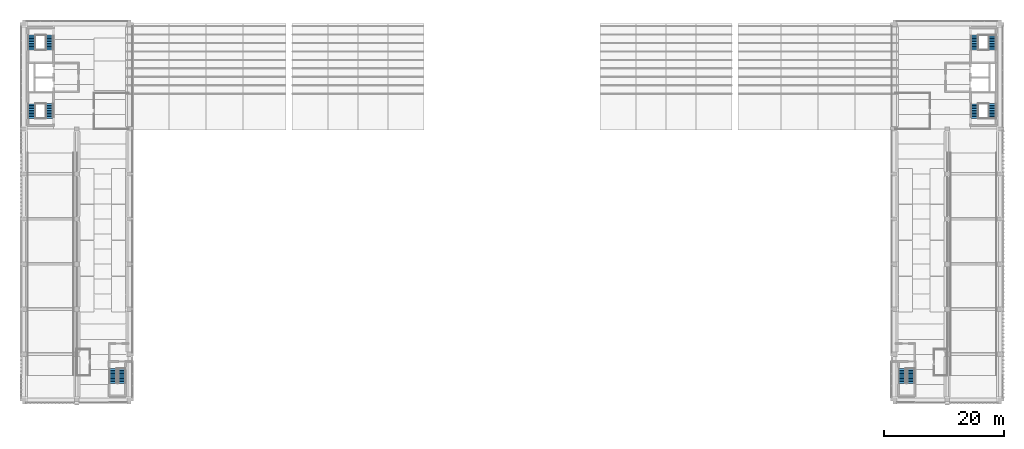
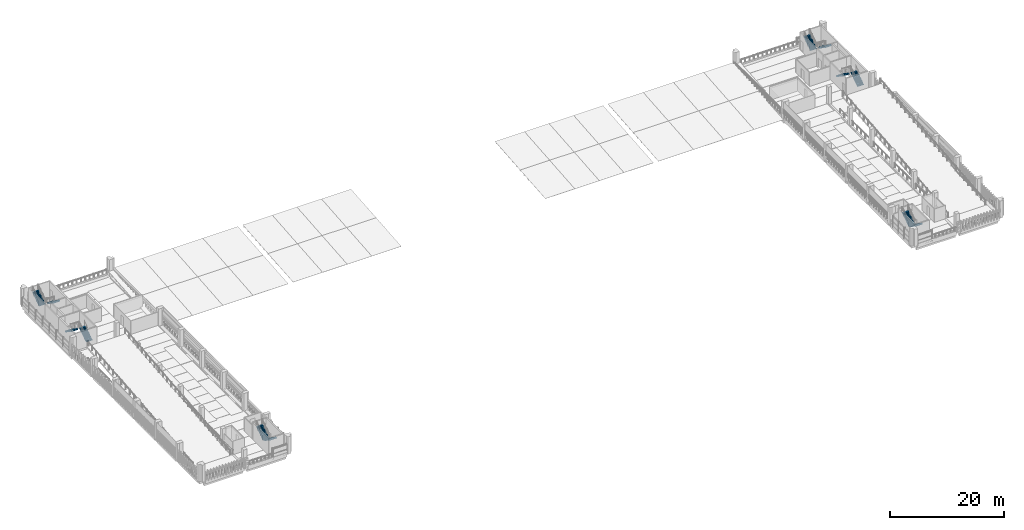
# One storey, part 14 of 24: 12 stair flights, 6 elements without a shape of their own.
"""IFC4 building model written with IfcOpenShell, lengths in metres."""

from ifc_helpers import new_model, si_unit, direction, frame, origin, place, context, subcontext, project, spatial, polyline, outline, extrude, material, type_object, element, aggregate, save


model = new_model("IFC4")

# Units and contexts
model_context = context("Model", 3, precision=1e-05, world=origin(), true_north=direction((0.0, 1.0)))
body_context = subcontext(model_context, "Body", "Model", "MODEL_VIEW")
ifc_project = project(units=[si_unit("LENGTHUNIT", "METRE"), si_unit("AREAUNIT", "SQUARE_METRE"), si_unit("VOLUMEUNIT", "CUBIC_METRE"), si_unit("PLANEANGLEUNIT", "RADIAN"), si_unit("MASSUNIT", "GRAM", prefix="KILO")], contexts=[model_context])

# Site, building, storey
site_placement = place(None, origin())
site = spatial("IfcSite", under=ifc_project, at=site_placement, CompositionType="ELEMENT")
building_placement = place(site_placement, origin())
building = spatial("IfcBuilding", under=site, at=building_placement, Name="Cour d'Honneur Mobility Palace", CompositionType="ELEMENT")
storey_placement = place(building_placement, frame((0.0, 0.0, 26.699951171875)))
storey = spatial("IfcBuildingStorey", under=building, at=storey_placement, Name="L07", CompositionType="ELEMENT", Elevation=26.699951171875)

# Stair, stair flights
ifc_material_1 = material(Name="Concrete C50", Category="concrete")
stair_type = type_object("IfcStairType", Name="Stair 20 risers", PredefinedType="HALF_TURN_STAIR", material=ifc_material_1)
stair_1_placement = place(storey_placement, origin())
stair_1 = element("IfcStair", 1, at=stair_1_placement, inside=storey, type_object=stair_type, Name="Stair ST-CW1", PredefinedType="HALF_TURN_STAIR")
ifc_material_2 = material(Name="Concrete C50", Category="concrete")
stair_flight_type = type_object("IfcStairFlightType", Name="Stair flight 1250", PredefinedType="STRAIGHT", material=ifc_material_2)
stair_flight_1_placement = place(storey_placement, frame((4.175048828125, 46.77490234375, 0.0), z_axis=(0.0, 0.0, 1.0), x_axis=(0.0, 1.0, 0.0)))
stair_flight_1 = element("IfcStairFlight", 2, at=stair_flight_1_placement, type_object=stair_flight_type, Name="ST-CW1 flight 1", NumberOfRisers=10, NumberOfTreads=9, PredefinedType="STRAIGHT", RiserHeight=0.185, TreadLength=0.27, context=body_context, shape_type="SweptSolid", body=[
    extrude(outline(polyline([(0.0, 0.0), (0.0, 0.18505859375), (0.27001953125, 0.18505859375), (0.27001953125, 0.3701171875), (0.5400390625, 0.3701171875), (0.5400390625, 0.554931640625), (0.81005859375, 0.554931640625), (0.81005859375, 0.739990234375), (1.080078125, 0.739990234375), (1.080078125, 0.925048828125), (1.35009765625, 0.925048828125), (1.35009765625, 1.110107421875), (1.6201171875, 1.110107421875), (1.6201171875, 1.294921875), (1.889892578125, 1.294921875), (1.889892578125, 1.47998046875), (2.159912109375, 1.47998046875), (2.159912109375, 1.6650390625), (2.429931640625, 1.6650390625), (2.47998046875, 1.6650390625), (2.47998046875, 1.4833984375), (0.26513671875, 0.0), (0.0, 0.0)])), frame((0.0, 0.625, 0.0), z_axis=(0.0, -1.0, 0.0), x_axis=(1.0, 0.0, 0.0)), (0.0, 0.0, 1.0), 1.25),
])
stair_flight_2_placement = place(storey_placement, frame((1.199951171875, 49.205078125, 1.85009765625), z_axis=(0.0, 0.0, 1.0), x_axis=(0.0, -1.0, 0.0)))
stair_flight_2 = element("IfcStairFlight", 3, at=stair_flight_2_placement, type_object=stair_flight_type, Name="ST-CW1 flight 2", NumberOfRisers=10, NumberOfTreads=9, PredefinedType="STRAIGHT", RiserHeight=0.185, TreadLength=0.27, context=body_context, shape_type="SweptSolid", body=[
    extrude(outline(polyline([(0.0, 0.0), (0.0, 0.18505859375), (0.27001953125, 0.18505859375), (0.27001953125, 0.3701171875), (0.5400390625, 0.3701171875), (0.5400390625, 0.554931640625), (0.81005859375, 0.554931640625), (0.81005859375, 0.739990234375), (1.080078125, 0.739990234375), (1.080078125, 0.925048828125), (1.35009765625, 0.925048828125), (1.35009765625, 1.110107421875), (1.6201171875, 1.110107421875), (1.6201171875, 1.294921875), (1.889892578125, 1.294921875), (1.889892578125, 1.47998046875), (2.159912109375, 1.47998046875), (2.159912109375, 1.6650390625), (2.429931640625, 1.6650390625), (2.47998046875, 1.6650390625), (2.47998046875, 1.4833984375), (0.26513671875, 0.0), (0.0, 0.0)])), frame((0.0, 0.625, 0.0), z_axis=(0.0, -1.0, 0.0), x_axis=(1.0, 0.0, 0.0)), (0.0, 0.0, 1.0), 1.25),
])
aggregate(stair_1, [stair_flight_1, stair_flight_2])

stair_2_placement = place(storey_placement, origin())
stair_2 = element("IfcStair", 4, at=stair_2_placement, inside=storey, type_object=stair_type, Name="Stair ST-CW2", PredefinedType="HALF_TURN_STAIR")
stair_flight_3_placement = place(storey_placement, frame((4.175048828125, 60.625, 0.0), z_axis=(0.0, 0.0, 1.0), x_axis=(0.0, -1.0, 0.0)))
stair_flight_3 = element("IfcStairFlight", 5, at=stair_flight_3_placement, type_object=stair_flight_type, Name="ST-CW2 flight 1", NumberOfRisers=10, NumberOfTreads=9, PredefinedType="STRAIGHT", RiserHeight=0.185, TreadLength=0.27, context=body_context, shape_type="SweptSolid", body=[
    extrude(outline(polyline([(0.0, 0.0), (0.0, 0.18505859375), (0.27001953125, 0.18505859375), (0.27001953125, 0.3701171875), (0.5400390625, 0.3701171875), (0.5400390625, 0.554931640625), (0.81005859375, 0.554931640625), (0.81005859375, 0.739990234375), (1.080078125, 0.739990234375), (1.080078125, 0.925048828125), (1.35009765625, 0.925048828125), (1.35009765625, 1.110107421875), (1.6201171875, 1.110107421875), (1.6201171875, 1.294921875), (1.889892578125, 1.294921875), (1.889892578125, 1.47998046875), (2.159912109375, 1.47998046875), (2.159912109375, 1.6650390625), (2.429931640625, 1.6650390625), (2.47998046875, 1.6650390625), (2.47998046875, 1.4833984375), (0.26513671875, 0.0), (0.0, 0.0)])), frame((0.0, 0.625, 0.0), z_axis=(0.0, -1.0, 0.0), x_axis=(1.0, 0.0, 0.0)), (0.0, 0.0, 1.0), 1.25),
])
stair_flight_4_placement = place(storey_placement, frame((1.199951171875, 58.195068359375, 1.85009765625), z_axis=(0.0, 0.0, 1.0), x_axis=(0.0, 1.0, 0.0)))
stair_flight_4 = element("IfcStairFlight", 6, at=stair_flight_4_placement, type_object=stair_flight_type, Name="ST-CW2 flight 2", NumberOfRisers=10, NumberOfTreads=9, PredefinedType="STRAIGHT", RiserHeight=0.185, TreadLength=0.27, context=body_context, shape_type="SweptSolid", body=[
    extrude(outline(polyline([(0.0, 0.0), (0.0, 0.18505859375), (0.27001953125, 0.18505859375), (0.27001953125, 0.3701171875), (0.5400390625, 0.3701171875), (0.5400390625, 0.554931640625), (0.81005859375, 0.554931640625), (0.81005859375, 0.739990234375), (1.080078125, 0.739990234375), (1.080078125, 0.925048828125), (1.35009765625, 0.925048828125), (1.35009765625, 1.110107421875), (1.6201171875, 1.110107421875), (1.6201171875, 1.294921875), (1.889892578125, 1.294921875), (1.889892578125, 1.47998046875), (2.159912109375, 1.47998046875), (2.159912109375, 1.6650390625), (2.429931640625, 1.6650390625), (2.47998046875, 1.6650390625), (2.47998046875, 1.4833984375), (0.26513671875, 0.0), (0.0, 0.0)])), frame((0.0, 0.625, 0.0), z_axis=(0.0, -1.0, 0.0), x_axis=(1.0, 0.0, 0.0)), (0.0, 0.0, 1.0), 1.25),
])
aggregate(stair_2, [stair_flight_3, stair_flight_4])

stair_3_placement = place(storey_placement, origin())
stair_3 = element("IfcStair", 7, at=stair_3_placement, inside=storey, type_object=stair_type, Name="Stair ST-CE1", PredefinedType="HALF_TURN_STAIR")
stair_flight_5_placement = place(storey_placement, frame((161.10009765625, 46.77490234375, 0.0), z_axis=(0.0, 0.0, 1.0), x_axis=(0.0, 1.0, 0.0)))
stair_flight_5 = element("IfcStairFlight", 8, at=stair_flight_5_placement, type_object=stair_flight_type, Name="ST-CE1 flight 1", NumberOfRisers=10, NumberOfTreads=9, PredefinedType="STRAIGHT", RiserHeight=0.185, TreadLength=0.27, context=body_context, shape_type="SweptSolid", body=[
    extrude(outline(polyline([(0.0, 0.0), (0.0, 0.18505859375), (0.27001953125, 0.18505859375), (0.27001953125, 0.3701171875), (0.5400390625, 0.3701171875), (0.5400390625, 0.554931640625), (0.81005859375, 0.554931640625), (0.81005859375, 0.739990234375), (1.080078125, 0.739990234375), (1.080078125, 0.925048828125), (1.35009765625, 0.925048828125), (1.35009765625, 1.110107421875), (1.6201171875, 1.110107421875), (1.6201171875, 1.294921875), (1.889892578125, 1.294921875), (1.889892578125, 1.47998046875), (2.159912109375, 1.47998046875), (2.159912109375, 1.6650390625), (2.429931640625, 1.6650390625), (2.47998046875, 1.6650390625), (2.47998046875, 1.4833984375), (0.26513671875, 0.0), (0.0, 0.0)])), frame((0.0, 0.625, 0.0), z_axis=(0.0, -1.0, 0.0), x_axis=(1.0, 0.0, 0.0)), (0.0, 0.0, 1.0), 1.25),
])
stair_flight_6_placement = place(storey_placement, frame((158.125, 49.205078125, 1.85009765625), z_axis=(0.0, 0.0, 1.0), x_axis=(0.0, -1.0, 0.0)))
stair_flight_6 = element("IfcStairFlight", 9, at=stair_flight_6_placement, type_object=stair_flight_type, Name="ST-CE1 flight 2", NumberOfRisers=10, NumberOfTreads=9, PredefinedType="STRAIGHT", RiserHeight=0.185, TreadLength=0.27, context=body_context, shape_type="SweptSolid", body=[
    extrude(outline(polyline([(0.0, 0.0), (0.0, 0.18505859375), (0.27001953125, 0.18505859375), (0.27001953125, 0.3701171875), (0.5400390625, 0.3701171875), (0.5400390625, 0.554931640625), (0.81005859375, 0.554931640625), (0.81005859375, 0.739990234375), (1.080078125, 0.739990234375), (1.080078125, 0.925048828125), (1.35009765625, 0.925048828125), (1.35009765625, 1.110107421875), (1.6201171875, 1.110107421875), (1.6201171875, 1.294921875), (1.889892578125, 1.294921875), (1.889892578125, 1.47998046875), (2.159912109375, 1.47998046875), (2.159912109375, 1.6650390625), (2.429931640625, 1.6650390625), (2.47998046875, 1.6650390625), (2.47998046875, 1.4833984375), (0.26513671875, 0.0), (0.0, 0.0)])), frame((0.0, 0.625, 0.0), z_axis=(0.0, -1.0, 0.0), x_axis=(1.0, 0.0, 0.0)), (0.0, 0.0, 1.0), 1.25),
])
aggregate(stair_3, [stair_flight_5, stair_flight_6])

stair_4_placement = place(storey_placement, origin())
stair_4 = element("IfcStair", 10, at=stair_4_placement, inside=storey, type_object=stair_type, Name="Stair ST-CE2", PredefinedType="HALF_TURN_STAIR")
stair_flight_7_placement = place(storey_placement, frame((161.10009765625, 60.625, 0.0), z_axis=(0.0, 0.0, 1.0), x_axis=(0.0, -1.0, 0.0)))
stair_flight_7 = element("IfcStairFlight", 11, at=stair_flight_7_placement, type_object=stair_flight_type, Name="ST-CE2 flight 1", NumberOfRisers=10, NumberOfTreads=9, PredefinedType="STRAIGHT", RiserHeight=0.185, TreadLength=0.27, context=body_context, shape_type="SweptSolid", body=[
    extrude(outline(polyline([(0.0, 0.0), (0.0, 0.18505859375), (0.27001953125, 0.18505859375), (0.27001953125, 0.3701171875), (0.5400390625, 0.3701171875), (0.5400390625, 0.554931640625), (0.81005859375, 0.554931640625), (0.81005859375, 0.739990234375), (1.080078125, 0.739990234375), (1.080078125, 0.925048828125), (1.35009765625, 0.925048828125), (1.35009765625, 1.110107421875), (1.6201171875, 1.110107421875), (1.6201171875, 1.294921875), (1.889892578125, 1.294921875), (1.889892578125, 1.47998046875), (2.159912109375, 1.47998046875), (2.159912109375, 1.6650390625), (2.429931640625, 1.6650390625), (2.47998046875, 1.6650390625), (2.47998046875, 1.4833984375), (0.26513671875, 0.0), (0.0, 0.0)])), frame((0.0, 0.625, 0.0), z_axis=(0.0, -1.0, 0.0), x_axis=(1.0, 0.0, 0.0)), (0.0, 0.0, 1.0), 1.25),
])
stair_flight_8_placement = place(storey_placement, frame((158.125, 58.195068359375, 1.85009765625), z_axis=(0.0, 0.0, 1.0), x_axis=(0.0, 1.0, 0.0)))
stair_flight_8 = element("IfcStairFlight", 12, at=stair_flight_8_placement, type_object=stair_flight_type, Name="ST-CE2 flight 2", NumberOfRisers=10, NumberOfTreads=9, PredefinedType="STRAIGHT", RiserHeight=0.185, TreadLength=0.27, context=body_context, shape_type="SweptSolid", body=[
    extrude(outline(polyline([(0.0, 0.0), (0.0, 0.18505859375), (0.27001953125, 0.18505859375), (0.27001953125, 0.3701171875), (0.5400390625, 0.3701171875), (0.5400390625, 0.554931640625), (0.81005859375, 0.554931640625), (0.81005859375, 0.739990234375), (1.080078125, 0.739990234375), (1.080078125, 0.925048828125), (1.35009765625, 0.925048828125), (1.35009765625, 1.110107421875), (1.6201171875, 1.110107421875), (1.6201171875, 1.294921875), (1.889892578125, 1.294921875), (1.889892578125, 1.47998046875), (2.159912109375, 1.47998046875), (2.159912109375, 1.6650390625), (2.429931640625, 1.6650390625), (2.47998046875, 1.6650390625), (2.47998046875, 1.4833984375), (0.26513671875, 0.0), (0.0, 0.0)])), frame((0.0, 0.625, 0.0), z_axis=(0.0, -1.0, 0.0), x_axis=(1.0, 0.0, 0.0)), (0.0, 0.0, 1.0), 1.25),
])
aggregate(stair_4, [stair_flight_7, stair_flight_8])

stair_5_placement = place(storey_placement, origin())
stair_5 = element("IfcStair", 13, at=stair_5_placement, inside=storey, type_object=stair_type, Name="Stair ST-RW1", PredefinedType="HALF_TURN_STAIR")
stair_flight_9_placement = place(storey_placement, frame((16.199951171875, 5.10009765625, 0.0), z_axis=(0.0, 0.0, 1.0), x_axis=(0.0, -1.0, 0.0)))
stair_flight_9 = element("IfcStairFlight", 14, at=stair_flight_9_placement, type_object=stair_flight_type, Name="ST-RW1 flight 1", NumberOfRisers=10, NumberOfTreads=9, PredefinedType="STRAIGHT", RiserHeight=0.185, TreadLength=0.27, context=body_context, shape_type="SweptSolid", body=[
    extrude(outline(polyline([(0.0, 0.0), (0.0, 0.18505859375), (0.27001953125, 0.18505859375), (0.27001953125, 0.3701171875), (0.5400390625, 0.3701171875), (0.5400390625, 0.554931640625), (0.81005859375, 0.554931640625), (0.81005859375, 0.739990234375), (1.080078125, 0.739990234375), (1.080078125, 0.925048828125), (1.35009765625, 0.925048828125), (1.35009765625, 1.110107421875), (1.6201171875, 1.110107421875), (1.6201171875, 1.294921875), (1.889892578125, 1.294921875), (1.889892578125, 1.47998046875), (2.159912109375, 1.47998046875), (2.159912109375, 1.6650390625), (2.429931640625, 1.6650390625), (2.47998046875, 1.6650390625), (2.47998046875, 1.4833984375), (0.26513671875, 0.0), (0.0, 0.0)])), frame((0.0, 0.625, 0.0), z_axis=(0.0, -1.0, 0.0), x_axis=(1.0, 0.0, 0.0)), (0.0, 0.0, 1.0), 1.25),
])
stair_flight_10_placement = place(storey_placement, frame((14.72509765625, 2.669921875, 1.85009765625), z_axis=(0.0, 0.0, 1.0), x_axis=(0.0, 1.0, 0.0)))
stair_flight_10 = element("IfcStairFlight", 15, at=stair_flight_10_placement, type_object=stair_flight_type, Name="ST-RW1 flight 2", NumberOfRisers=10, NumberOfTreads=9, PredefinedType="STRAIGHT", RiserHeight=0.185, TreadLength=0.27, context=body_context, shape_type="SweptSolid", body=[
    extrude(outline(polyline([(0.0, 0.0), (0.0, 0.18505859375), (0.27001953125, 0.18505859375), (0.27001953125, 0.3701171875), (0.5400390625, 0.3701171875), (0.5400390625, 0.554931640625), (0.81005859375, 0.554931640625), (0.81005859375, 0.739990234375), (1.080078125, 0.739990234375), (1.080078125, 0.925048828125), (1.35009765625, 0.925048828125), (1.35009765625, 1.110107421875), (1.6201171875, 1.110107421875), (1.6201171875, 1.294921875), (1.889892578125, 1.294921875), (1.889892578125, 1.47998046875), (2.159912109375, 1.47998046875), (2.159912109375, 1.6650390625), (2.429931640625, 1.6650390625), (2.47998046875, 1.6650390625), (2.47998046875, 1.4833984375), (0.26513671875, 0.0), (0.0, 0.0)])), frame((0.0, 0.625, 0.0), z_axis=(0.0, -1.0, 0.0), x_axis=(1.0, 0.0, 0.0)), (0.0, 0.0, 1.0), 1.25),
])
aggregate(stair_5, [stair_flight_9, stair_flight_10])

stair_6_placement = place(storey_placement, origin())
stair_6 = element("IfcStair", 16, at=stair_6_placement, inside=storey, type_object=stair_type, Name="Stair ST-RE1", PredefinedType="HALF_TURN_STAIR")
stair_flight_11_placement = place(storey_placement, frame((147.574951171875, 5.10009765625, 0.0), z_axis=(0.0, 0.0, 1.0), x_axis=(0.0, -1.0, 0.0)))
stair_flight_11 = element("IfcStairFlight", 17, at=stair_flight_11_placement, type_object=stair_flight_type, Name="ST-RE1 flight 1", NumberOfRisers=10, NumberOfTreads=9, PredefinedType="STRAIGHT", RiserHeight=0.185, TreadLength=0.27, context=body_context, shape_type="SweptSolid", body=[
    extrude(outline(polyline([(0.0, 0.0), (0.0, 0.18505859375), (0.27001953125, 0.18505859375), (0.27001953125, 0.3701171875), (0.5400390625, 0.3701171875), (0.5400390625, 0.554931640625), (0.81005859375, 0.554931640625), (0.81005859375, 0.739990234375), (1.080078125, 0.739990234375), (1.080078125, 0.925048828125), (1.35009765625, 0.925048828125), (1.35009765625, 1.110107421875), (1.6201171875, 1.110107421875), (1.6201171875, 1.294921875), (1.889892578125, 1.294921875), (1.889892578125, 1.47998046875), (2.159912109375, 1.47998046875), (2.159912109375, 1.6650390625), (2.429931640625, 1.6650390625), (2.47998046875, 1.6650390625), (2.47998046875, 1.4833984375), (0.26513671875, 0.0), (0.0, 0.0)])), frame((0.0, 0.625, 0.0), z_axis=(0.0, -1.0, 0.0), x_axis=(1.0, 0.0, 0.0)), (0.0, 0.0, 1.0), 1.25),
])
stair_flight_12_placement = place(storey_placement, frame((146.10009765625, 2.669921875, 1.85009765625), z_axis=(0.0, 0.0, 1.0), x_axis=(0.0, 1.0, 0.0)))
stair_flight_12 = element("IfcStairFlight", 18, at=stair_flight_12_placement, type_object=stair_flight_type, Name="ST-RE1 flight 2", NumberOfRisers=10, NumberOfTreads=9, PredefinedType="STRAIGHT", RiserHeight=0.185, TreadLength=0.27, context=body_context, shape_type="SweptSolid", body=[
    extrude(outline(polyline([(0.0, 0.0), (0.0, 0.18505859375), (0.27001953125, 0.18505859375), (0.27001953125, 0.3701171875), (0.5400390625, 0.3701171875), (0.5400390625, 0.554931640625), (0.81005859375, 0.554931640625), (0.81005859375, 0.739990234375), (1.080078125, 0.739990234375), (1.080078125, 0.925048828125), (1.35009765625, 0.925048828125), (1.35009765625, 1.110107421875), (1.6201171875, 1.110107421875), (1.6201171875, 1.294921875), (1.889892578125, 1.294921875), (1.889892578125, 1.47998046875), (2.159912109375, 1.47998046875), (2.159912109375, 1.6650390625), (2.429931640625, 1.6650390625), (2.47998046875, 1.6650390625), (2.47998046875, 1.4833984375), (0.26513671875, 0.0), (0.0, 0.0)])), frame((0.0, 0.625, 0.0), z_axis=(0.0, -1.0, 0.0), x_axis=(1.0, 0.0, 0.0)), (0.0, 0.0, 1.0), 1.25),
])
aggregate(stair_6, [stair_flight_11, stair_flight_12])

save(model, "model.ifc")
